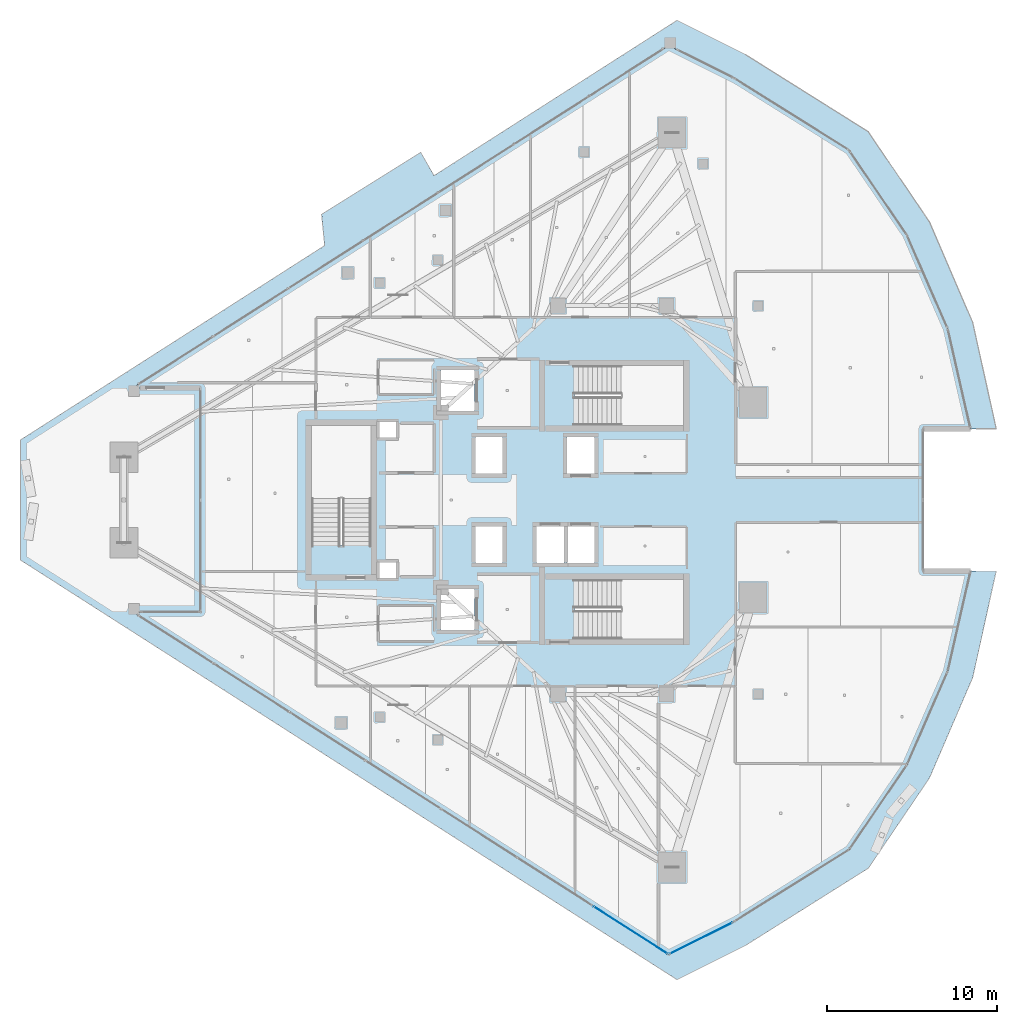
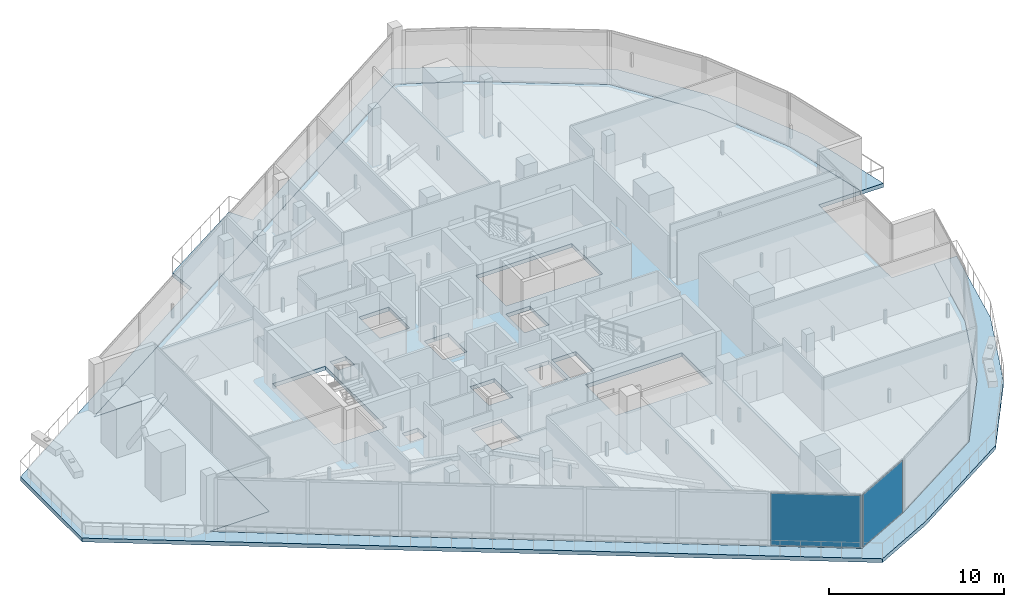
# One storey, part 27 of 40: 2 plates, 2 slabs, 2 elements without a shape of their own.
"""IFC4 building model written with IfcOpenShell, lengths in metres."""

import ifcopenshell
import ifcopenshell.guid

model = None  # the IFC model being written
_history = None  # IfcOwnerHistory: only IFC2X3 demands one
_inside = {}  # id of a spatial element -> (the spatial element, [elements in it])
_under = {}  # id of a project, library or spatial element -> (it, [spatial elements below it])
_declared = {}  # id of a project -> (the project, [libraries it declares])
_typed = {}  # id of a type object -> (the type object, [elements of that type])
_made_of = {}  # id of a material, layer set ... -> (it, [elements and type objects made of it])


def new_model(schema):
    """Start an empty IFC model of exactly this schema.

    Asked for "IFC4X3", IfcOpenShell would pick the latest addendum, in which some entities
    have other attributes; the version numbers below select the first issue.
    IFC2X3 requires an IfcOwnerHistory on every rooted entity: one is made here for all.
    """
    global model, _history
    if schema == "IFC4X3":
        model = ifcopenshell.file(schema_version=(4, 3, 0, 0))
    else:
        model = ifcopenshell.file(schema=schema)
    _inside.clear()
    _under.clear()
    _declared.clear()
    _typed.clear()
    _made_of.clear()
    _history = None
    if model.schema == "IFC2X3":
        org = make("IfcOrganization", Name="unknown")
        user = make(
            "IfcPersonAndOrganization",
            ThePerson=make("IfcPerson", FamilyName="unknown"),
            TheOrganization=org,
        )
        app = make(
            "IfcApplication",
            ApplicationDeveloper=org,
            Version="unknown",
            ApplicationFullName="unknown",
            ApplicationIdentifier="unknown",
        )
        _history = make(
            "IfcOwnerHistory",
            OwningUser=user,
            OwningApplication=app,
            ChangeAction="ADDED",
            CreationDate=0,
        )
    return model


def make(cls, **values):
    """One entity of the class cls with the attributes given. An attribute that is None is left unset."""
    return model.create_entity(
        cls, **{name: value for name, value in values.items() if value is not None}
    )


def rooted(cls, **values):
    """An entity with a GlobalId (a new one), such as an element, a storey or a relation."""
    return make(cls, GlobalId=ifcopenshell.guid.new(), OwnerHistory=_history, **values)


def si_unit(unit_type, name, prefix=None):
    """IfcSIUnit, for example si_unit("LENGTHUNIT", "METRE", prefix="MILLI")."""
    return make("IfcSIUnit", UnitType=unit_type, Prefix=prefix, Name=name)


def assignment(units):
    """IfcUnitAssignment: the units of a project."""
    return None if units is None else make("IfcUnitAssignment", Units=units)


def point(xyz):
    """IfcCartesianPoint."""
    return None if xyz is None else make("IfcCartesianPoint", Coordinates=xyz)


def direction(xyz):
    """IfcDirection."""
    return None if xyz is None else make("IfcDirection", DirectionRatios=xyz)


def frame(location, z_axis=None, x_axis=None):
    """IfcAxis2Placement3D, a coordinate frame: its origin and axes. An axis left out is left unset."""
    return make(
        "IfcAxis2Placement3D",
        Location=point(location),
        Axis=direction(z_axis),
        RefDirection=direction(x_axis),
    )


def frame_2d(location, x_axis=None):
    """IfcAxis2Placement2D, a coordinate frame in the plane: its origin and x axis."""
    return make(
        "IfcAxis2Placement2D", Location=point(location), RefDirection=direction(x_axis)
    )


def origin():
    """The frame at (0, 0, 0) with its axes left unset."""
    return frame((0.0, 0.0, 0.0))


def origin_2d():
    """The frame at (0, 0) in the plane with its x axis left unset."""
    return frame_2d((0.0, 0.0))


def place(relative_to, where):
    """IfcLocalPlacement: puts the frame where relative to a parent placement (None: the world)."""
    return make(
        "IfcLocalPlacement", PlacementRelTo=relative_to, RelativePlacement=where
    )


def context(
    kind, dimensions, precision=None, world=None, true_north=None, identifier=None
):
    """IfcGeometricRepresentationContext, for example the 3D "Model" context."""
    return make(
        "IfcGeometricRepresentationContext",
        ContextIdentifier=identifier,
        ContextType=kind,
        CoordinateSpaceDimension=dimensions,
        Precision=precision,
        WorldCoordinateSystem=world,
        TrueNorth=true_north,
    )


def subcontext(parent, identifier, kind, view, scale=None):
    """IfcGeometricRepresentationSubContext, for example "Body" below "Model"."""
    return make(
        "IfcGeometricRepresentationSubContext",
        ContextIdentifier=identifier,
        ContextType=kind,
        ParentContext=parent,
        TargetScale=scale,
        TargetView=view,
    )


def project(units=None, contexts=None):
    """IfcProject with its units and contexts."""
    return rooted(
        "IfcProject",
        Name="project",
        RepresentationContexts=contexts,
        UnitsInContext=assignment(units),
    )


def spatial(cls, under=None, at=None, **own):
    """A site, building, storey or space (cls), placed at a placement, below another one or the project."""
    s = rooted(cls, ObjectPlacement=at, **own)
    if under is not None:
        _under.setdefault(under.id(), (under, []))[1].append(s)
    return s


def polyline(points):
    """IfcPolyline through the points."""
    return make("IfcPolyline", Points=[point(p) for p in points])


def profile(cls, at=None, kind="AREA", **sizes):
    """A parametric profile (cls). Its sizes go by their IFC names, for example OverallWidth=200.0."""
    return make(cls, ProfileType=kind, Position=at, **sizes)


def rectangle(**sizes):
    """IfcRectangleProfileDef."""
    return profile("IfcRectangleProfileDef", **sizes)


def outline(outer, holes=None, kind="AREA"):
    """IfcArbitraryClosedProfileDef: a profile drawn as a closed curve; with holes, ...WithVoids."""
    if holes is None:
        return make("IfcArbitraryClosedProfileDef", ProfileType=kind, OuterCurve=outer)
    return make(
        "IfcArbitraryProfileDefWithVoids",
        ProfileType=kind,
        OuterCurve=outer,
        InnerCurves=holes,
    )


def extrude(swept, where, along, depth):
    """IfcExtrudedAreaSolid: the profile swept, set in the frame where, extruded along a direction by depth."""
    return make(
        "IfcExtrudedAreaSolid",
        SweptArea=swept,
        Position=where,
        ExtrudedDirection=direction(along),
        Depth=depth,
    )


def shape(context_of_items, identifier, shape_type, items):
    """IfcShapeRepresentation: the items that make up one representation, for example the "Body"."""
    return make(
        "IfcShapeRepresentation",
        ContextOfItems=context_of_items,
        RepresentationIdentifier=identifier,
        RepresentationType=shape_type,
        Items=items,
    )


def material(Name=None, Category=None):
    """IfcMaterial."""
    return make("IfcMaterial", Name=Name, Category=Category)


def layer(
    of_material, thickness, ventilated=None, Name=None, Category=None, Priority=None
):
    """IfcMaterialLayer: one layer of a wall or slab, of a material (None: an air gap)."""
    return make(
        "IfcMaterialLayer",
        Material=of_material,
        LayerThickness=thickness,
        IsVentilated=ventilated,
        Name=Name,
        Category=Category,
        Priority=Priority,
    )


def layer_set(layers, Name=None):
    """IfcMaterialLayerSet."""
    return make("IfcMaterialLayerSet", MaterialLayers=layers, LayerSetName=Name)


def made_of(thing, what):
    """Note that an element or type object is made of a material, layer set ...; save() writes the relation."""
    if what is not None:
        _made_of.setdefault(what.id(), (what, []))[1].append(thing)
    return thing


def type_object(cls, material=None, **own):
    """A type object (cls), such as IfcWallType, which elements share."""
    return made_of(rooted(cls, **own), material)


def element(
    cls,
    number,
    at=None,
    inside=None,
    cuts=None,
    type_object=None,
    material=None,
    context=None,
    identifier="Body",
    shape_type=None,
    held_by="IfcProductDefinitionShape",
    body=None,
    shapes=None,
    **own,
):
    """One element of the class cls, such as IfcWall. Its Tag is "e" and its number.

    at: its placement. inside: the storey or other place that contains it. cuts: it is an
    opening in that element (IfcRelVoidsElement). A single representation is given by context,
    identifier, shape_type and body (its items); several are given by shapes. held_by: the class
    of the entity that holds the representations. save() writes the other relations.
    """
    e = rooted(cls, Tag="e%d" % number, ObjectPlacement=at, **own)
    if body is not None:
        shapes = [shape(context, identifier, shape_type, body)]
    if shapes is not None:
        e.Representation = make(held_by, Representations=shapes)
    if inside is not None:
        _inside.setdefault(inside.id(), (inside, []))[1].append(e)
    if cuts is not None:
        rooted(
            "IfcRelVoidsElement", RelatingBuildingElement=cuts, RelatedOpeningElement=e
        )
    if type_object is not None:
        _typed.setdefault(type_object.id(), (type_object, []))[1].append(e)
    return made_of(e, material)


def aggregate(whole, parts):
    """IfcRelAggregates: a whole, such as a stair, and the parts it consists of."""
    return rooted("IfcRelAggregates", RelatingObject=whole, RelatedObjects=parts)


def save(model, path):
    """Write the relations noted so far, then the file.

    IfcRelAggregates (storeys below a building ...), IfcRelContainedInSpatialStructure (elements
    in a storey), IfcRelDefinesByType, IfcRelAssociatesMaterial and IfcRelDeclares: one each for
    every whole, place, type object, material and project.
    """
    for whole, parts in _under.values():
        aggregate(whole, parts)
    for where, things in _inside.values():
        rooted(
            "IfcRelContainedInSpatialStructure",
            RelatedElements=things,
            RelatingStructure=where,
        )
    for kind, things in _typed.values():
        rooted("IfcRelDefinesByType", RelatedObjects=things, RelatingType=kind)
    for what, things in _made_of.values():
        rooted("IfcRelAssociatesMaterial", RelatedObjects=things, RelatingMaterial=what)
    for by, libraries in _declared.values():
        rooted("IfcRelDeclares", RelatingContext=by, RelatedDefinitions=libraries)
    model.write(path)


model = new_model("IFC4")

# Units and contexts
model_context = context("Model", 3, precision=1e-05, world=origin(), true_north=direction((0.0, 1.0)))
body_context = subcontext(model_context, "Body", "Model", "MODEL_VIEW")
ifc_project = project(units=[si_unit("LENGTHUNIT", "METRE"), si_unit("AREAUNIT", "SQUARE_METRE"), si_unit("VOLUMEUNIT", "CUBIC_METRE"), si_unit("PLANEANGLEUNIT", "RADIAN"), si_unit("MASSUNIT", "GRAM", prefix="KILO")], contexts=[model_context])

# Site, building, storey
site_placement = place(None, origin())
site = spatial("IfcSite", under=ifc_project, at=site_placement, CompositionType="ELEMENT")
building_placement = place(site_placement, origin())
building = spatial("IfcBuilding", under=site, at=building_placement, Name="Qorvath Tower", CompositionType="ELEMENT")
storey_placement = place(building_placement, frame((0.0, 0.0, 225.300048828125)))
storey = spatial("IfcBuildingStorey", under=building, at=storey_placement, Name="L52", CompositionType="ELEMENT", Elevation=225.300048828125)

# Curtain wall, plate
ifc_material_1 = material(Name="Anodised aluminium and triple low-E glass", Category="aluminium")
ifc_layer_1 = layer(ifc_material_1, 0.179931640625)
ifc_layer_set_1 = layer_set([ifc_layer_1], Name="CW-SYS-5")
curtain_wall_type = type_object("IfcCurtainWallType", Name="CW-SYS-5", PredefinedType="NOTDEFINED", material=ifc_layer_set_1)
curtain_wall_1_placement = place(storey_placement, origin())
curtain_wall_1 = element("IfcCurtainWall", 1, at=curtain_wall_1_placement, inside=storey, type_object=curtain_wall_type, Name="Curtain Wall CW-5 CW-T-L52-4.1", PredefinedType="NOTDEFINED")
ifc_material_2 = material(Name="Low-E triple insulated glass", Category="glass")
ifc_layer_2 = layer(ifc_material_2, 0.031982421875)
ifc_layer_set_2 = layer_set([ifc_layer_2], Name="CWP-GLZ-32")
plate_type = type_object("IfcPlateType", Name="CWP-GLZ-32", PredefinedType="CURTAIN_PANEL", material=ifc_layer_set_2)
plate_1_placement = place(storey_placement, frame((-19.32373046875, -25.337646484375, 0.06494140625), z_axis=(0.0, 0.0, 1.0), x_axis=(0.84260674155, -0.538529366974, 0.0)))
plate_1 = element("IfcPlate", 2, at=plate_1_placement, type_object=plate_type, Name="CW-5 panel 7.1", PredefinedType="CURTAIN_PANEL", context=body_context, shape_type="SweptSolid", body=[
    extrude(rectangle(XDim=5.187744140625, YDim=0.031982421875, at=origin_2d()), origin(), (0.0, 0.0, 1.0), 3.650146484375),
])
aggregate(curtain_wall_1, [plate_1])

curtain_wall_2_placement = place(storey_placement, origin())
curtain_wall_2 = element("IfcCurtainWall", 3, at=curtain_wall_2_placement, inside=storey, type_object=curtain_wall_type, Name="Curtain Wall CW-5 CW-T-L52-5.1", PredefinedType="NOTDEFINED")
plate_2_placement = place(storey_placement, frame((-15.16259765625, -25.818603515625, 0.06494140625), z_axis=(0.0, 0.0, 1.0), x_axis=(0.894417837412, 0.447232302186, 0.0)))
plate_2 = element("IfcPlate", 4, at=plate_2_placement, type_object=plate_type, Name="CW-5 panel 1.1", PredefinedType="CURTAIN_PANEL", context=body_context, shape_type="SweptSolid", body=[
    extrude(rectangle(XDim=4.12646484375, YDim=0.031982421875, at=origin_2d()), origin(), (0.0, 0.0, 1.0), 3.650146484375),
])
aggregate(curtain_wall_2, [plate_2])

# Slabs
ifc_material_3 = material(Name="Precast concrete C45/55", Category="concrete")
ifc_layer_3 = layer(ifc_material_3, 0.27001953125)
ifc_layer_set_3 = layer_set([ifc_layer_3], Name="SL-LOG-270")
slab_type_1 = type_object("IfcSlabType", Name="SL-LOG-270", PredefinedType="FLOOR", material=ifc_layer_set_3)
slab_1_placement = place(storey_placement, frame((0.0, 0.0, -0.27001953125)))
element("IfcSlab", 5, at=slab_1_placement, inside=storey, type_object=slab_type_1, Name="Tower L52 Perimeter Loggia and Terrace Slab", PredefinedType="FLOOR", context=body_context, shape_type="SweptSolid", body=[
    extrude(outline(polyline([(-16.580810546875, 28.257080078125), (-30.900634765625, 19.10498046875), (-31.6826171875, 20.47900390625), (-37.52392578125, 16.828857421875), (-37.341064453125, 14.98876953125), (-55.266357421875, 3.5322265625), (-55.266357421875, -3.5322265625), (-16.580810546875, -28.257080078125), (-12.544189453125, -26.23876953125), (-5.3115234375, -21.68994140625), (-1.708251953125, -16.370361328125), (0.832763671875, -10.468994140625), (2.22119140625, -4.19580078125), (0.712646484375, -4.19580078125), (-0.62646484375, -10.078125), (-3.035888671875, -15.60888671875), (-6.43212890625, -20.594970703125), (-13.25, -24.8623046875), (-17.074951171875, -26.77490234375), (-48.63427734375, -6.6044921875), (-44.64794921875, -6.6044921875), (-44.64794921875, 6.6044921875), (-48.63427734375, 6.6044921875), (-17.074951171875, 26.77490234375), (-13.25, 24.8623046875), (-6.43212890625, 20.594970703125), (-3.035888671875, 15.60888671875), (-0.62646484375, 10.078125), (0.712646484375, 4.19580078125), (2.22119140625, 4.19580078125), (0.832763671875, 10.468994140625), (-1.708251953125, 16.370361328125), (-5.3115234375, 21.68994140625), (-12.544189453125, 26.23876953125), (-16.580810546875, 28.257080078125)])), origin(), (0.0, 0.0, 1.0), 0.27001953125),
])
ifc_material_4 = material(Name="Concrete C45/55", Category="concrete")
ifc_layer_4 = layer(ifc_material_4, 0.27001953125)
ifc_layer_set_4 = layer_set([ifc_layer_4], Name="SL-MID-270")
slab_type_2 = type_object("IfcSlabType", Name="SL-MID-270", PredefinedType="FLOOR", material=ifc_layer_set_4)
slab_2_placement = place(storey_placement, frame((0.0, 0.0, -0.27001953125)))
element("IfcSlab", 6, at=slab_2_placement, inside=storey, type_object=slab_type_2, Name="Tower L52 Interior Floor Slab", PredefinedType="FLOOR", context=body_context, shape_type="SweptSolid", body=[
    extrude(outline(polyline([(-17.074951171875, 26.77490234375), (-48.63427734375, 6.6044921875), (-44.64794921875, 6.6044921875), (-44.64794921875, -6.6044921875), (-48.63427734375, -6.6044921875), (-17.074951171875, -26.77490234375), (-13.25, -24.8623046875), (-6.43212890625, -20.594970703125), (-3.035888671875, -15.60888671875), (-0.62646484375, -10.078125), (0.712646484375, -4.19580078125), (-2.08447265625, -4.19580078125), (-2.08447265625, 4.19580078125), (0.712646484375, 4.19580078125), (-0.62646484375, 10.078125), (-3.035888671875, 15.60888671875), (-6.43212890625, 20.594970703125), (-13.25, 24.8623046875), (-17.074951171875, 26.77490234375)]), holes=[polyline([(-16.2451171875, -8.199951171875), (-22.625, -8.199951171875), (-22.625, -4.68994140625), (-16.2451171875, -4.68994140625), (-16.2451171875, -8.199951171875)]), polyline([(-22.625, 4.39990234375), (-22.625, 7.909912109375), (-16.2451171875, 7.909912109375), (-16.2451171875, 4.39990234375), (-22.625, 4.39990234375)]), polyline([(-21.449951171875, -3.699951171875), (-23.050048828125, -3.699951171875), (-23.050048828125, -1.550048828125), (-21.449951171875, -1.550048828125), (-21.449951171875, -3.699951171875)]), polyline([(-23.050048828125, 1.550048828125), (-23.050048828125, 3.699951171875), (-21.449951171875, 3.699951171875), (-21.449951171875, 1.550048828125), (-23.050048828125, 1.550048828125)]), polyline([(-24.85009765625, -3.699951171875), (-24.85009765625, -1.550048828125), (-23.25, -1.550048828125), (-23.25, -3.699951171875), (-24.85009765625, -3.699951171875)]), polyline([(-28.449951171875, -3.699951171875), (-28.449951171875, -1.550048828125), (-26.85009765625, -1.550048828125), (-26.85009765625, -3.699951171875), (-28.449951171875, -3.699951171875)]), polyline([(-26.85009765625, 1.550048828125), (-28.449951171875, 1.550048828125), (-28.449951171875, 3.699951171875), (-26.85009765625, 3.699951171875), (-26.85009765625, 1.550048828125)]), polyline([(-28.5, -7.64990234375), (-30.5, -7.64990234375), (-30.5, -5.25), (-28.5, -5.25), (-28.5, -7.64990234375)]), polyline([(-30.5, 5.25), (-30.5, 7.64990234375), (-28.5, 7.64990234375), (-28.5, 5.25), (-30.5, 5.25)]), polyline([(-34.14990234375, -4.6201171875), (-34.14990234375, -3.64990234375), (-33.10009765625, -3.64990234375), (-33.10009765625, -4.6201171875), (-34.14990234375, -4.6201171875)]), polyline([(-34.14990234375, 3.64990234375), (-34.14990234375, 4.6201171875), (-33.10009765625, 4.6201171875), (-33.10009765625, 3.64990234375), (-34.14990234375, 3.64990234375)]), polyline([(-34.60009765625, -2.675048828125), (-38.110107421875, -2.675048828125), (-38.110107421875, 4.35498046875), (-34.60009765625, 4.35498046875), (-34.60009765625, -2.675048828125)])]), origin(), (0.0, 0.0, 1.0), 0.27001953125),
])

save(model, "model.ifc")
